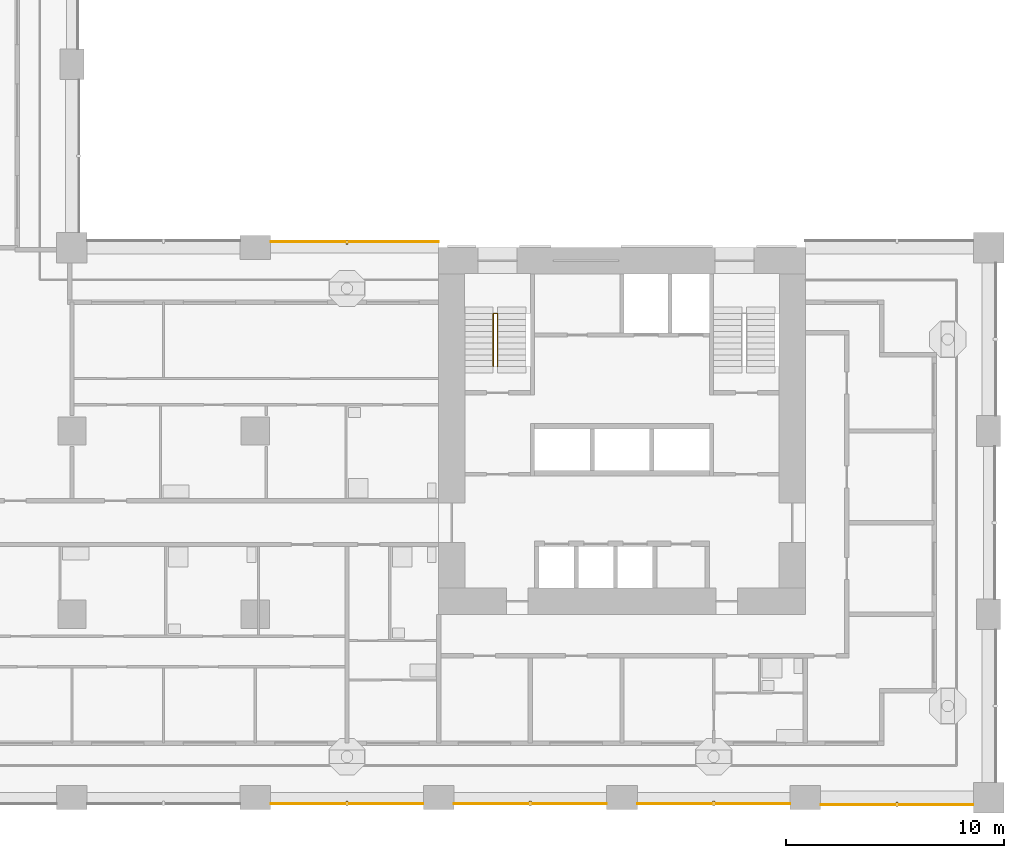
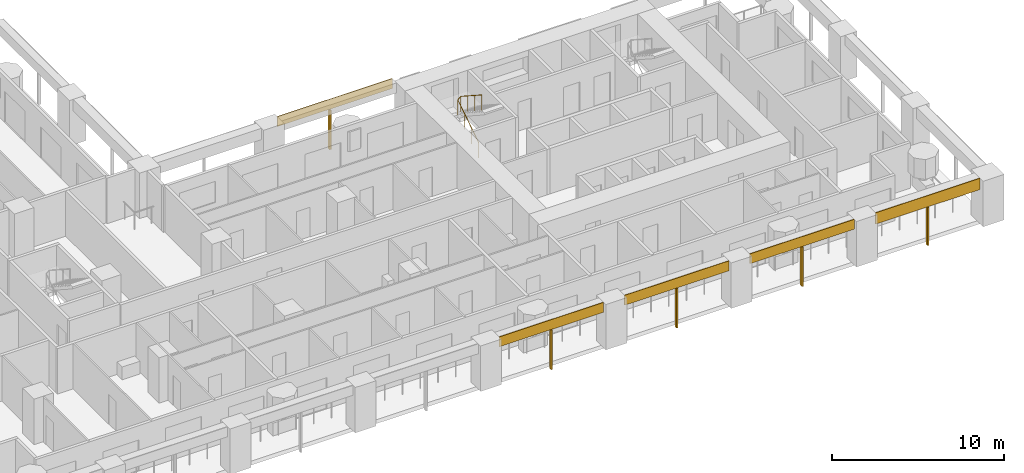
# One storey, part 11 of 19: 10 shading devices, 1 railing.
"""IFC4 building model written with IfcOpenShell, lengths in metres."""

import ifcopenshell
import ifcopenshell.guid

model = None  # the IFC model being written
_history = None  # IfcOwnerHistory: only IFC2X3 demands one
_inside = {}  # id of a spatial element -> (the spatial element, [elements in it])
_under = {}  # id of a project, library or spatial element -> (it, [spatial elements below it])
_declared = {}  # id of a project -> (the project, [libraries it declares])
_typed = {}  # id of a type object -> (the type object, [elements of that type])
_made_of = {}  # id of a material, layer set ... -> (it, [elements and type objects made of it])


def new_model(schema):
    """Start an empty IFC model of exactly this schema.

    Asked for "IFC4X3", IfcOpenShell would pick the latest addendum, in which some entities
    have other attributes; the version numbers below select the first issue.
    IFC2X3 requires an IfcOwnerHistory on every rooted entity: one is made here for all.
    """
    global model, _history
    if schema == "IFC4X3":
        model = ifcopenshell.file(schema_version=(4, 3, 0, 0))
    else:
        model = ifcopenshell.file(schema=schema)
    _inside.clear()
    _under.clear()
    _declared.clear()
    _typed.clear()
    _made_of.clear()
    _history = None
    if model.schema == "IFC2X3":
        org = make("IfcOrganization", Name="unknown")
        user = make(
            "IfcPersonAndOrganization",
            ThePerson=make("IfcPerson", FamilyName="unknown"),
            TheOrganization=org,
        )
        app = make(
            "IfcApplication",
            ApplicationDeveloper=org,
            Version="unknown",
            ApplicationFullName="unknown",
            ApplicationIdentifier="unknown",
        )
        _history = make(
            "IfcOwnerHistory",
            OwningUser=user,
            OwningApplication=app,
            ChangeAction="ADDED",
            CreationDate=0,
        )
    return model


def make(cls, **values):
    """One entity of the class cls with the attributes given. An attribute that is None is left unset."""
    return model.create_entity(
        cls, **{name: value for name, value in values.items() if value is not None}
    )


def rooted(cls, **values):
    """An entity with a GlobalId (a new one), such as an element, a storey or a relation."""
    return make(cls, GlobalId=ifcopenshell.guid.new(), OwnerHistory=_history, **values)


def si_unit(unit_type, name, prefix=None):
    """IfcSIUnit, for example si_unit("LENGTHUNIT", "METRE", prefix="MILLI")."""
    return make("IfcSIUnit", UnitType=unit_type, Prefix=prefix, Name=name)


def assignment(units):
    """IfcUnitAssignment: the units of a project."""
    return None if units is None else make("IfcUnitAssignment", Units=units)


def point(xyz):
    """IfcCartesianPoint."""
    return None if xyz is None else make("IfcCartesianPoint", Coordinates=xyz)


def direction(xyz):
    """IfcDirection."""
    return None if xyz is None else make("IfcDirection", DirectionRatios=xyz)


def frame(location, z_axis=None, x_axis=None):
    """IfcAxis2Placement3D, a coordinate frame: its origin and axes. An axis left out is left unset."""
    return make(
        "IfcAxis2Placement3D",
        Location=point(location),
        Axis=direction(z_axis),
        RefDirection=direction(x_axis),
    )


def frame_2d(location, x_axis=None):
    """IfcAxis2Placement2D, a coordinate frame in the plane: its origin and x axis."""
    return make(
        "IfcAxis2Placement2D", Location=point(location), RefDirection=direction(x_axis)
    )


def origin():
    """The frame at (0, 0, 0) with its axes left unset."""
    return frame((0.0, 0.0, 0.0))


def origin_2d():
    """The frame at (0, 0) in the plane with its x axis left unset."""
    return frame_2d((0.0, 0.0))


def place(relative_to, where):
    """IfcLocalPlacement: puts the frame where relative to a parent placement (None: the world)."""
    return make(
        "IfcLocalPlacement", PlacementRelTo=relative_to, RelativePlacement=where
    )


def context(
    kind, dimensions, precision=None, world=None, true_north=None, identifier=None
):
    """IfcGeometricRepresentationContext, for example the 3D "Model" context."""
    return make(
        "IfcGeometricRepresentationContext",
        ContextIdentifier=identifier,
        ContextType=kind,
        CoordinateSpaceDimension=dimensions,
        Precision=precision,
        WorldCoordinateSystem=world,
        TrueNorth=true_north,
    )


def subcontext(parent, identifier, kind, view, scale=None):
    """IfcGeometricRepresentationSubContext, for example "Body" below "Model"."""
    return make(
        "IfcGeometricRepresentationSubContext",
        ContextIdentifier=identifier,
        ContextType=kind,
        ParentContext=parent,
        TargetScale=scale,
        TargetView=view,
    )


def project(units=None, contexts=None):
    """IfcProject with its units and contexts."""
    return rooted(
        "IfcProject",
        Name="project",
        RepresentationContexts=contexts,
        UnitsInContext=assignment(units),
    )


def spatial(cls, under=None, at=None, **own):
    """A site, building, storey or space (cls), placed at a placement, below another one or the project."""
    s = rooted(cls, ObjectPlacement=at, **own)
    if under is not None:
        _under.setdefault(under.id(), (under, []))[1].append(s)
    return s


def profile(cls, at=None, kind="AREA", **sizes):
    """A parametric profile (cls). Its sizes go by their IFC names, for example OverallWidth=200.0."""
    return make(cls, ProfileType=kind, Position=at, **sizes)


def rectangle(**sizes):
    """IfcRectangleProfileDef."""
    return profile("IfcRectangleProfileDef", **sizes)


def circle(**sizes):
    """IfcCircleProfileDef."""
    return profile("IfcCircleProfileDef", **sizes)


def extrude(swept, where, along, depth):
    """IfcExtrudedAreaSolid: the profile swept, set in the frame where, extruded along a direction by depth."""
    return make(
        "IfcExtrudedAreaSolid",
        SweptArea=swept,
        Position=where,
        ExtrudedDirection=direction(along),
        Depth=depth,
    )


def shape(context_of_items, identifier, shape_type, items):
    """IfcShapeRepresentation: the items that make up one representation, for example the "Body"."""
    return make(
        "IfcShapeRepresentation",
        ContextOfItems=context_of_items,
        RepresentationIdentifier=identifier,
        RepresentationType=shape_type,
        Items=items,
    )


def material(Name=None, Category=None):
    """IfcMaterial."""
    return make("IfcMaterial", Name=Name, Category=Category)


def layer(
    of_material, thickness, ventilated=None, Name=None, Category=None, Priority=None
):
    """IfcMaterialLayer: one layer of a wall or slab, of a material (None: an air gap)."""
    return make(
        "IfcMaterialLayer",
        Material=of_material,
        LayerThickness=thickness,
        IsVentilated=ventilated,
        Name=Name,
        Category=Category,
        Priority=Priority,
    )


def layer_set(layers, Name=None):
    """IfcMaterialLayerSet."""
    return make("IfcMaterialLayerSet", MaterialLayers=layers, LayerSetName=Name)


def material_profile(
    of_material, cross_section, Name=None, Category=None, Priority=None
):
    """IfcMaterialProfile: a cross section and its material."""
    return make(
        "IfcMaterialProfile",
        Name=Name,
        Material=of_material,
        Profile=cross_section,
        Priority=Priority,
        Category=Category,
    )


def profile_set(profiles, Name=None, composite=None):
    """IfcMaterialProfileSet."""
    return make(
        "IfcMaterialProfileSet",
        Name=Name,
        MaterialProfiles=profiles,
        CompositeProfile=composite,
    )


def made_of(thing, what):
    """Note that an element or type object is made of a material, layer set ...; save() writes the relation."""
    if what is not None:
        _made_of.setdefault(what.id(), (what, []))[1].append(thing)
    return thing


def type_object(cls, material=None, **own):
    """A type object (cls), such as IfcWallType, which elements share."""
    return made_of(rooted(cls, **own), material)


def element(
    cls,
    number,
    at=None,
    inside=None,
    cuts=None,
    type_object=None,
    material=None,
    context=None,
    identifier="Body",
    shape_type=None,
    held_by="IfcProductDefinitionShape",
    body=None,
    shapes=None,
    **own,
):
    """One element of the class cls, such as IfcWall. Its Tag is "e" and its number.

    at: its placement. inside: the storey or other place that contains it. cuts: it is an
    opening in that element (IfcRelVoidsElement). A single representation is given by context,
    identifier, shape_type and body (its items); several are given by shapes. held_by: the class
    of the entity that holds the representations. save() writes the other relations.
    """
    e = rooted(cls, Tag="e%d" % number, ObjectPlacement=at, **own)
    if body is not None:
        shapes = [shape(context, identifier, shape_type, body)]
    if shapes is not None:
        e.Representation = make(held_by, Representations=shapes)
    if inside is not None:
        _inside.setdefault(inside.id(), (inside, []))[1].append(e)
    if cuts is not None:
        rooted(
            "IfcRelVoidsElement", RelatingBuildingElement=cuts, RelatedOpeningElement=e
        )
    if type_object is not None:
        _typed.setdefault(type_object.id(), (type_object, []))[1].append(e)
    return made_of(e, material)


def aggregate(whole, parts):
    """IfcRelAggregates: a whole, such as a stair, and the parts it consists of."""
    return rooted("IfcRelAggregates", RelatingObject=whole, RelatedObjects=parts)


def save(model, path):
    """Write the relations noted so far, then the file.

    IfcRelAggregates (storeys below a building ...), IfcRelContainedInSpatialStructure (elements
    in a storey), IfcRelDefinesByType, IfcRelAssociatesMaterial and IfcRelDeclares: one each for
    every whole, place, type object, material and project.
    """
    for whole, parts in _under.values():
        aggregate(whole, parts)
    for where, things in _inside.values():
        rooted(
            "IfcRelContainedInSpatialStructure",
            RelatedElements=things,
            RelatingStructure=where,
        )
    for kind, things in _typed.values():
        rooted("IfcRelDefinesByType", RelatedObjects=things, RelatingType=kind)
    for what, things in _made_of.values():
        rooted("IfcRelAssociatesMaterial", RelatedObjects=things, RelatingMaterial=what)
    for by, libraries in _declared.values():
        rooted("IfcRelDeclares", RelatingContext=by, RelatedDefinitions=libraries)
    model.write(path)


model = new_model("IFC4")

# Units and contexts
model_context = context("Model", 3, precision=1e-05, world=origin(), true_north=direction((0.0, 1.0)))
body_context = subcontext(model_context, "Body", "Model", "MODEL_VIEW")
ifc_project = project(units=[si_unit("LENGTHUNIT", "METRE"), si_unit("AREAUNIT", "SQUARE_METRE"), si_unit("VOLUMEUNIT", "CUBIC_METRE"), si_unit("PLANEANGLEUNIT", "RADIAN"), si_unit("MASSUNIT", "GRAM", prefix="KILO")], contexts=[model_context])

# Site, building, storey
site_placement = place(None, origin())
site = spatial("IfcSite", under=ifc_project, at=site_placement, CompositionType="ELEMENT")
building_placement = place(site_placement, origin())
building = spatial("IfcBuilding", under=site, at=building_placement, Name="Vermilion Gate Residences", CompositionType="ELEMENT")
storey_placement = place(building_placement, frame((0.0, 0.0, 28.699951171875)))
storey = spatial("IfcBuildingStorey", under=building, at=storey_placement, Name="L05", CompositionType="ELEMENT", Elevation=28.699951171875)

# Shading devices
ifc_material_1 = material(Name="Perforated terracotta", Category="masonry")
ifc_layer = layer(ifc_material_1, 0.0400390625)
ifc_layer_set = layer_set([ifc_layer], Name="PERFORATED TERRACOTTA SCREEN 40")
shading_device_type_1 = type_object("IfcShadingDeviceType", Name="PERFORATED TERRACOTTA SCREEN 40", PredefinedType="SHUTTER", material=ifc_layer_set)
for number, where, z_axis, x_axis, name in (
    (1, (37.800048828125, -0.27001953125, 2.52001953125), (0.0, 0.0, 1.0), (1.0, 0.0, 0.0), "SCREEN"),
    (2, (46.199951171875, -0.27001953125, 2.52001953125), (0.0, 0.0, 1.0), (1.0, 0.0, 0.0), "SCREEN"),
    (3, (54.60009765625, -0.27001953125, 2.52001953125), (0.0, 0.0, 1.0), (1.0, 0.0, 0.0), "SCREEN"),
):
    element("IfcShadingDevice", number, at=place(storey_placement, frame(where, z_axis=z_axis, x_axis=x_axis)), inside=storey, type_object=shading_device_type_1, Name=name, PredefinedType="SHUTTER", context=body_context, shape_type="SweptSolid", body=[
        extrude(rectangle(XDim=7.0, YDim=0.0400390625, at=origin_2d()), origin(), (0.0, 0.0, 1.0), 0.699951171875),
    ])
shading_device_1_placement = place(storey_placement, frame((63.0, -0.320068359375, 2.419921875), z_axis=(0.0, 0.0, 1.0), x_axis=(1.0, 0.0, 0.0)))
element("IfcShadingDevice", 4, at=shading_device_1_placement, inside=storey, type_object=shading_device_type_1, Name="SCREEN", PredefinedType="SHUTTER", context=body_context, shape_type="SweptSolid", body=[
    extrude(rectangle(XDim=7.0, YDim=0.0400390625, at=origin_2d()), origin(), (0.0, 0.0, 1.0), 0.800048828125),
])
shading_device_2_placement = place(storey_placement, frame((38.14990234375, 25.469970703125, 2.52001953125), z_axis=(0.0, 0.0, 1.0), x_axis=(-1.0, 0.0, 0.0)))
element("IfcShadingDevice", 5, at=shading_device_2_placement, inside=storey, type_object=shading_device_type_1, Name="SCREEN", PredefinedType="SHUTTER", context=body_context, shape_type="SweptSolid", body=[
    extrude(rectangle(XDim=7.699951171875, YDim=0.0400390625, at=origin_2d()), origin(), (0.0, 0.0, 1.0), 0.699951171875),
])

# Railing
ifc_material_2 = material(Name="Steel S355", Category="steel")
railing_type = type_object("IfcRailingType", Name="STAIR GUARD 1100 STEEL", PredefinedType="GUARDRAIL", material=ifc_material_2)
railing_placement = place(storey_placement, frame((44.5, 19.75, 0.175048828125)))
element("IfcRailing", 6, at=railing_placement, inside=storey, type_object=railing_type, Name="Stair well guard STA1-05", PredefinedType="GUARDRAIL", context=body_context, shape_type="SweptSolid", body=[
    extrude(circle(Radius=0.02392578125, at=origin_2d()), frame((0.0, 0.0, 1.076171875), z_axis=(0.0, 0.839153699163, 0.543894354798), x_axis=(-1.0, 0.0, 0.0)), (0.0, 0.0, 1.0), 2.895751953125),
    extrude(circle(Radius=0.02392578125, at=origin_2d()), frame((0.0, 2.429931640625, 2.65087890625), z_axis=(0.752405939678, 0.0, 0.658699705433), x_axis=(0.0, 1.0, 0.0)), (0.0, 0.0, 1.0), 0.265869140625),
    extrude(circle(Radius=0.02392578125, at=origin_2d()), frame((0.199951171875, 2.429931640625, 2.826171875), z_axis=(0.0, -0.839153699163, 0.543894354798), x_axis=(1.0, 0.0, 0.0)), (0.0, 0.0, 1.0), 2.895751953125),
    extrude(circle(Radius=0.02099609375, at=origin_2d()), origin(), (0.0, 0.0, 1.0), 1.052001953125),
    extrude(circle(Radius=0.02099609375, at=origin_2d()), frame((0.0, 0.81005859375, 0.52490234375)), (0.0, 0.0, 1.0), 1.052001953125),
    extrude(circle(Radius=0.02099609375, at=origin_2d()), frame((0.0, 1.619873046875, 1.050048828125)), (0.0, 0.0, 1.0), 1.052001953125),
    extrude(circle(Radius=0.02099609375, at=origin_2d()), frame((0.0, 2.429931640625, 1.574951171875)), (0.0, 0.0, 1.0), 1.052001953125),
    extrude(circle(Radius=0.02099609375, at=origin_2d()), frame((0.199951171875, 2.429931640625, 1.75)), (0.0, 0.0, 1.0), 1.052001953125),
    extrude(circle(Radius=0.02099609375, at=origin_2d()), frame((0.199951171875, 1.619873046875, 2.27490234375)), (0.0, 0.0, 1.0), 1.052001953125),
    extrude(circle(Radius=0.02099609375, at=origin_2d()), frame((0.199951171875, 0.81005859375, 2.800048828125)), (0.0, 0.0, 1.0), 1.052001953125),
    extrude(circle(Radius=0.02099609375, at=origin_2d()), frame((0.199951171875, 0.0, 3.324951171875)), (0.0, 0.0, 1.0), 1.052001953125),
])

# Shading devices
ifc_material_3 = material(Name="Extruded terracotta", Category="masonry")
ifc_material_profile = material_profile(ifc_material_3, rectangle(XDim=0.199951171875, YDim=0.10009765625, at=origin_2d()), Name="BAGUETTE 100 X 200")
ifc_profile_set = profile_set([ifc_material_profile], Name="Extruded terracotta")
shading_device_type_2 = type_object("IfcShadingDeviceType", Name="TERRACOTTA BAGUETTE 100 X 200", PredefinedType="JALOUSIE", material=ifc_profile_set)
for number, where, z_axis, x_axis, name in (
    (7, (37.800048828125, -0.25, -0.280029296875), (0.0, 0.0, 1.0), (0.0, 1.0, 0.0), "BAGUETTE"),
    (8, (46.199951171875, -0.25, -0.280029296875), (0.0, 0.0, 1.0), (0.0, 1.0, 0.0), "BAGUETTE"),
    (9, (54.60009765625, -0.25, -0.280029296875), (0.0, 0.0, 1.0), (0.0, 1.0, 0.0), "BAGUETTE"),
):
    element("IfcShadingDevice", number, at=place(storey_placement, frame(where, z_axis=z_axis, x_axis=x_axis)), inside=storey, type_object=shading_device_type_2, Name=name, PredefinedType="JALOUSIE", context=body_context, shape_type="SweptSolid", body=[
        extrude(rectangle(XDim=0.199951171875, YDim=0.10009765625, at=origin_2d()), origin(), (0.0, 0.0, 1.0), 2.800048828125),
    ])
shading_device_3_placement = place(storey_placement, frame((63.0, -0.300048828125, -0.280029296875), z_axis=(0.0, 0.0, 1.0), x_axis=(0.0, 1.0, 0.0)))
element("IfcShadingDevice", 10, at=shading_device_3_placement, inside=storey, type_object=shading_device_type_2, Name="BAGUETTE", PredefinedType="JALOUSIE", context=body_context, shape_type="SweptSolid", body=[
    extrude(rectangle(XDim=0.199951171875, YDim=0.10009765625, at=origin_2d()), origin(), (0.0, 0.0, 1.0), 2.7001953125),
])
shading_device_4_placement = place(storey_placement, frame((37.800048828125, 25.449951171875, -0.280029296875), z_axis=(0.0, 0.0, 1.0), x_axis=(0.0, -1.0, 0.0)))
element("IfcShadingDevice", 11, at=shading_device_4_placement, inside=storey, type_object=shading_device_type_2, Name="BAGUETTE", PredefinedType="JALOUSIE", context=body_context, shape_type="SweptSolid", body=[
    extrude(rectangle(XDim=0.199951171875, YDim=0.10009765625, at=origin_2d()), origin(), (0.0, 0.0, 1.0), 2.800048828125),
])

save(model, "model.ifc")
